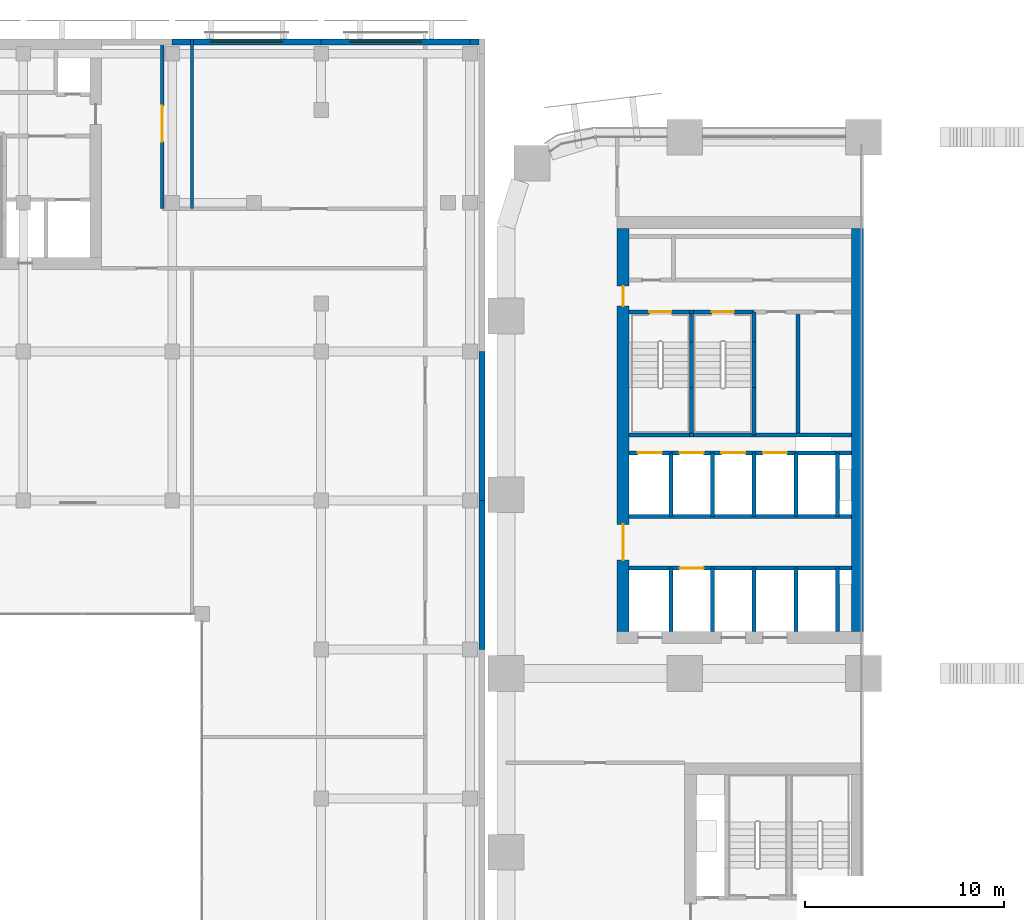
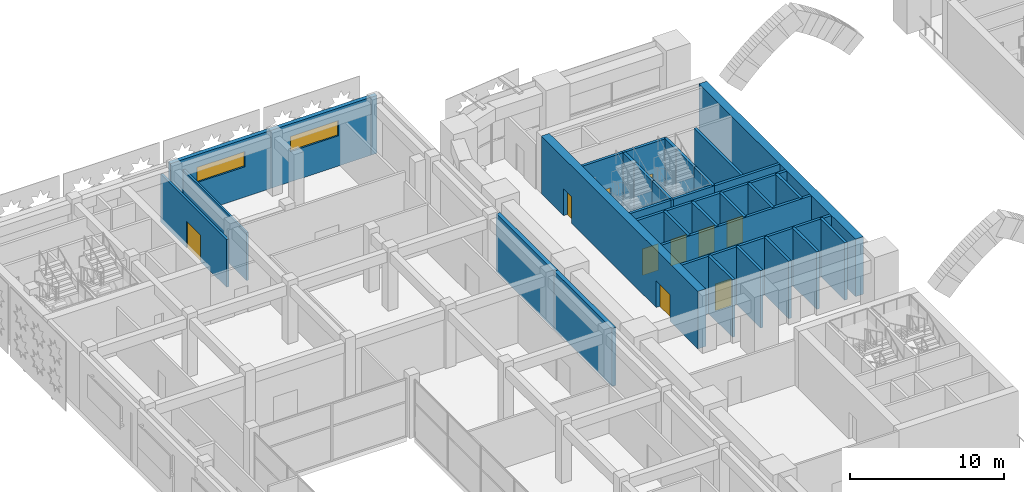
# One storey, part 20 of 40: 36 walls, 10 doors, 2 windows, 12 openings.
"""IFC4 building model written with IfcOpenShell, lengths in metres."""

import ifcopenshell
import ifcopenshell.guid

model = None  # the IFC model being written
_history = None  # IfcOwnerHistory: only IFC2X3 demands one
_inside = {}  # id of a spatial element -> (the spatial element, [elements in it])
_under = {}  # id of a project, library or spatial element -> (it, [spatial elements below it])
_declared = {}  # id of a project -> (the project, [libraries it declares])
_typed = {}  # id of a type object -> (the type object, [elements of that type])
_made_of = {}  # id of a material, layer set ... -> (it, [elements and type objects made of it])


def new_model(schema):
    """Start an empty IFC model of exactly this schema.

    Asked for "IFC4X3", IfcOpenShell would pick the latest addendum, in which some entities
    have other attributes; the version numbers below select the first issue.
    IFC2X3 requires an IfcOwnerHistory on every rooted entity: one is made here for all.
    """
    global model, _history
    if schema == "IFC4X3":
        model = ifcopenshell.file(schema_version=(4, 3, 0, 0))
    else:
        model = ifcopenshell.file(schema=schema)
    _inside.clear()
    _under.clear()
    _declared.clear()
    _typed.clear()
    _made_of.clear()
    _history = None
    if model.schema == "IFC2X3":
        org = make("IfcOrganization", Name="unknown")
        user = make(
            "IfcPersonAndOrganization",
            ThePerson=make("IfcPerson", FamilyName="unknown"),
            TheOrganization=org,
        )
        app = make(
            "IfcApplication",
            ApplicationDeveloper=org,
            Version="unknown",
            ApplicationFullName="unknown",
            ApplicationIdentifier="unknown",
        )
        _history = make(
            "IfcOwnerHistory",
            OwningUser=user,
            OwningApplication=app,
            ChangeAction="ADDED",
            CreationDate=0,
        )
    return model


def make(cls, **values):
    """One entity of the class cls with the attributes given. An attribute that is None is left unset."""
    return model.create_entity(
        cls, **{name: value for name, value in values.items() if value is not None}
    )


def rooted(cls, **values):
    """An entity with a GlobalId (a new one), such as an element, a storey or a relation."""
    return make(cls, GlobalId=ifcopenshell.guid.new(), OwnerHistory=_history, **values)


def si_unit(unit_type, name, prefix=None):
    """IfcSIUnit, for example si_unit("LENGTHUNIT", "METRE", prefix="MILLI")."""
    return make("IfcSIUnit", UnitType=unit_type, Prefix=prefix, Name=name)


def assignment(units):
    """IfcUnitAssignment: the units of a project."""
    return None if units is None else make("IfcUnitAssignment", Units=units)


def point(xyz):
    """IfcCartesianPoint."""
    return None if xyz is None else make("IfcCartesianPoint", Coordinates=xyz)


def direction(xyz):
    """IfcDirection."""
    return None if xyz is None else make("IfcDirection", DirectionRatios=xyz)


def frame(location, z_axis=None, x_axis=None):
    """IfcAxis2Placement3D, a coordinate frame: its origin and axes. An axis left out is left unset."""
    return make(
        "IfcAxis2Placement3D",
        Location=point(location),
        Axis=direction(z_axis),
        RefDirection=direction(x_axis),
    )


def frame_2d(location, x_axis=None):
    """IfcAxis2Placement2D, a coordinate frame in the plane: its origin and x axis."""
    return make(
        "IfcAxis2Placement2D", Location=point(location), RefDirection=direction(x_axis)
    )


def origin():
    """The frame at (0, 0, 0) with its axes left unset."""
    return frame((0.0, 0.0, 0.0))


def place(relative_to, where):
    """IfcLocalPlacement: puts the frame where relative to a parent placement (None: the world)."""
    return make(
        "IfcLocalPlacement", PlacementRelTo=relative_to, RelativePlacement=where
    )


def context(
    kind, dimensions, precision=None, world=None, true_north=None, identifier=None
):
    """IfcGeometricRepresentationContext, for example the 3D "Model" context."""
    return make(
        "IfcGeometricRepresentationContext",
        ContextIdentifier=identifier,
        ContextType=kind,
        CoordinateSpaceDimension=dimensions,
        Precision=precision,
        WorldCoordinateSystem=world,
        TrueNorth=true_north,
    )


def subcontext(parent, identifier, kind, view, scale=None):
    """IfcGeometricRepresentationSubContext, for example "Body" below "Model"."""
    return make(
        "IfcGeometricRepresentationSubContext",
        ContextIdentifier=identifier,
        ContextType=kind,
        ParentContext=parent,
        TargetScale=scale,
        TargetView=view,
    )


def project(units=None, contexts=None):
    """IfcProject with its units and contexts."""
    return rooted(
        "IfcProject",
        Name="project",
        RepresentationContexts=contexts,
        UnitsInContext=assignment(units),
    )


def spatial(cls, under=None, at=None, **own):
    """A site, building, storey or space (cls), placed at a placement, below another one or the project."""
    s = rooted(cls, ObjectPlacement=at, **own)
    if under is not None:
        _under.setdefault(under.id(), (under, []))[1].append(s)
    return s


def profile(cls, at=None, kind="AREA", **sizes):
    """A parametric profile (cls). Its sizes go by their IFC names, for example OverallWidth=200.0."""
    return make(cls, ProfileType=kind, Position=at, **sizes)


def rectangle(**sizes):
    """IfcRectangleProfileDef."""
    return profile("IfcRectangleProfileDef", **sizes)


def extrude(swept, where, along, depth):
    """IfcExtrudedAreaSolid: the profile swept, set in the frame where, extruded along a direction by depth."""
    return make(
        "IfcExtrudedAreaSolid",
        SweptArea=swept,
        Position=where,
        ExtrudedDirection=direction(along),
        Depth=depth,
    )


def shape(context_of_items, identifier, shape_type, items):
    """IfcShapeRepresentation: the items that make up one representation, for example the "Body"."""
    return make(
        "IfcShapeRepresentation",
        ContextOfItems=context_of_items,
        RepresentationIdentifier=identifier,
        RepresentationType=shape_type,
        Items=items,
    )


def material(Name=None, Category=None):
    """IfcMaterial."""
    return make("IfcMaterial", Name=Name, Category=Category)


def layer(
    of_material, thickness, ventilated=None, Name=None, Category=None, Priority=None
):
    """IfcMaterialLayer: one layer of a wall or slab, of a material (None: an air gap)."""
    return make(
        "IfcMaterialLayer",
        Material=of_material,
        LayerThickness=thickness,
        IsVentilated=ventilated,
        Name=Name,
        Category=Category,
        Priority=Priority,
    )


def layer_set(layers, Name=None):
    """IfcMaterialLayerSet."""
    return make("IfcMaterialLayerSet", MaterialLayers=layers, LayerSetName=Name)


def made_of(thing, what):
    """Note that an element or type object is made of a material, layer set ...; save() writes the relation."""
    if what is not None:
        _made_of.setdefault(what.id(), (what, []))[1].append(thing)
    return thing


def type_object(cls, material=None, **own):
    """A type object (cls), such as IfcWallType, which elements share."""
    return made_of(rooted(cls, **own), material)


def element(
    cls,
    number,
    at=None,
    inside=None,
    cuts=None,
    type_object=None,
    material=None,
    context=None,
    identifier="Body",
    shape_type=None,
    held_by="IfcProductDefinitionShape",
    body=None,
    shapes=None,
    **own,
):
    """One element of the class cls, such as IfcWall. Its Tag is "e" and its number.

    at: its placement. inside: the storey or other place that contains it. cuts: it is an
    opening in that element (IfcRelVoidsElement). A single representation is given by context,
    identifier, shape_type and body (its items); several are given by shapes. held_by: the class
    of the entity that holds the representations. save() writes the other relations.
    """
    e = rooted(cls, Tag="e%d" % number, ObjectPlacement=at, **own)
    if body is not None:
        shapes = [shape(context, identifier, shape_type, body)]
    if shapes is not None:
        e.Representation = make(held_by, Representations=shapes)
    if inside is not None:
        _inside.setdefault(inside.id(), (inside, []))[1].append(e)
    if cuts is not None:
        rooted(
            "IfcRelVoidsElement", RelatingBuildingElement=cuts, RelatedOpeningElement=e
        )
    if type_object is not None:
        _typed.setdefault(type_object.id(), (type_object, []))[1].append(e)
    return made_of(e, material)


def fill(opening, filler):
    """IfcRelFillsElement: the door or window that sits in an opening."""
    return rooted(
        "IfcRelFillsElement",
        RelatingOpeningElement=opening,
        RelatedBuildingElement=filler,
    )


def aggregate(whole, parts):
    """IfcRelAggregates: a whole, such as a stair, and the parts it consists of."""
    return rooted("IfcRelAggregates", RelatingObject=whole, RelatedObjects=parts)


def save(model, path):
    """Write the relations noted so far, then the file.

    IfcRelAggregates (storeys below a building ...), IfcRelContainedInSpatialStructure (elements
    in a storey), IfcRelDefinesByType, IfcRelAssociatesMaterial and IfcRelDeclares: one each for
    every whole, place, type object, material and project.
    """
    for whole, parts in _under.values():
        aggregate(whole, parts)
    for where, things in _inside.values():
        rooted(
            "IfcRelContainedInSpatialStructure",
            RelatedElements=things,
            RelatingStructure=where,
        )
    for kind, things in _typed.values():
        rooted("IfcRelDefinesByType", RelatedObjects=things, RelatingType=kind)
    for what, things in _made_of.values():
        rooted("IfcRelAssociatesMaterial", RelatedObjects=things, RelatingMaterial=what)
    for by, libraries in _declared.values():
        rooted("IfcRelDeclares", RelatingContext=by, RelatedDefinitions=libraries)
    model.write(path)


model = new_model("IFC4")

# Units and contexts
model_context = context("Model", 3, precision=1e-05, world=origin(), true_north=direction((0.0, 1.0)))
body_context = subcontext(model_context, "Body", "Model", "MODEL_VIEW")
ifc_project = project(units=[si_unit("LENGTHUNIT", "METRE"), si_unit("AREAUNIT", "SQUARE_METRE"), si_unit("VOLUMEUNIT", "CUBIC_METRE"), si_unit("PLANEANGLEUNIT", "RADIAN"), si_unit("MASSUNIT", "GRAM", prefix="KILO")], contexts=[model_context])

# Site, building, storey
site_placement = place(None, origin())
site = spatial("IfcSite", under=ifc_project, at=site_placement, CompositionType="ELEMENT")
building_placement = place(site_placement, origin())
building = spatial("IfcBuilding", under=site, at=building_placement, Name="Tessera Arch", CompositionType="ELEMENT")
storey_placement = place(building_placement, frame((0.0, 0.0, 21.0)))
storey = spatial("IfcBuildingStorey", under=building, at=storey_placement, Name="L03", CompositionType="ELEMENT", Elevation=21.0)

# Wall
ifc_material_1 = material(Name="Gypsum board on steel stud", Category="steel")
ifc_layer_1 = layer(ifc_material_1, 0.125)
ifc_layer_set_1 = layer_set([ifc_layer_1], Name="Core partition 125 EI 60")
wall_type_1 = type_object("IfcWallType", Name="Core partition 125 EI 60", PredefinedType="PARTITIONING", material=ifc_layer_set_1)
wall_1_placement = place(storey_placement, frame((14.705078125, 39.0, 0.0), z_axis=(0.0, 0.0, 1.0), x_axis=(0.0, 1.0, 0.0)))
element("IfcWall", 1, at=wall_1_placement, inside=storey, type_object=wall_type_1, Name="L03 C2 partition wall 16", PredefinedType="PARTITIONING", context=body_context, shape_type="SweptSolid", body=[
    extrude(rectangle(XDim=6.199951171875, YDim=0.199951171875, at=frame_2d((3.10009765625, 0.0))), origin(), (0.0, 0.0, 1.0), 4.550048828125),
])

# Wall, openings, doors
ifc_material_2 = material(Name="Concrete C70/85", Category="concrete")
ifc_layer_2 = layer(ifc_material_2, 0.60009765625)
ifc_layer_set_2 = layer_set([ifc_layer_2], Name="Core shell wall 600 C70-85")
wall_type_2 = type_object("IfcWallType", Name="Core shell wall 600 C70-85", PredefinedType="SHEAR", material=ifc_layer_set_2)
wall_2_placement = place(storey_placement, frame((5.89990234375, 29.10009765625, 0.0), z_axis=(0.0, 0.0, 1.0), x_axis=(0.0, 1.0, 0.0)))
wall_2 = element("IfcWall", 2, at=wall_2_placement, inside=storey, type_object=wall_type_2, Name="L03 C2 core wall W", PredefinedType="SHEAR", context=body_context, shape_type="SweptSolid", body=[
    extrude(rectangle(XDim=20.2998046875, YDim=0.60009765625, at=frame_2d((10.14990234375, 0.0))), origin(), (0.0, 0.0, 1.0), 4.550048828125),
])
opening_1_placement = place(wall_2_placement, frame((3.60009765625, 0.0, 0.0)))
opening_1 = element("IfcOpeningElement", 3, at=opening_1_placement, cuts=wall_2, Name="Opening L03-C21", PredefinedType="OPENING", context=body_context, shape_type="SweptSolid", body=[
    extrude(rectangle(XDim=1.800048828125, YDim=2.10009765625, at=frame_2d((0.89990234375, 1.050048828125))), frame((0.0, 0.31005859375, 0.0), z_axis=(0.0, -1.0, 0.0), x_axis=(1.0, 0.0, 0.0)), (0.0, 0.0, 1.0), 0.6201171875),
])
opening_2_placement = place(wall_2_placement, frame((16.39990234375, 0.0, 0.0)))
opening_2 = element("IfcOpeningElement", 4, at=opening_2_placement, cuts=wall_2, Name="Opening L03-C24", PredefinedType="OPENING", context=body_context, shape_type="SweptSolid", body=[
    extrude(rectangle(XDim=1.0, YDim=2.10009765625, at=frame_2d((0.5, 1.050048828125))), frame((0.0, 0.31005859375, 0.0), z_axis=(0.0, -1.0, 0.0), x_axis=(1.0, 0.0, 0.0)), (0.0, 0.0, 1.0), 0.6201171875),
])
ifc_material_3 = material(Name="Steel door leaf", Category="steel")
door_type_1 = type_object("IfcDoorType", Name="Corridor door FD60 1000 x 2100", OperationType="SINGLE_SWING_LEFT", PredefinedType="DOOR", material=ifc_material_3)
door_1_placement = place(opening_2_placement, origin())
door_1 = element("IfcDoor", 5, at=door_1_placement, inside=storey, type_object=door_type_1, Name="L03 C2 door 12 C24 type D12", OperationType="SINGLE_SWING_RIGHT", OverallHeight=2.10009765625, OverallWidth=1.0, PredefinedType="DOOR", context=body_context, shape_type="SweptSolid", body=[
    extrude(rectangle(XDim=1.0, YDim=2.10009765625, at=frame_2d((0.5, 1.050048828125))), frame((0.0, 0.02490234375, 0.0), z_axis=(0.0, -1.0, 0.0), x_axis=(1.0, 0.0, 0.0)), (0.0, 0.0, 1.0), 0.050048828125),
])
fill(opening_2, door_1)
ifc_material_4 = material(Name="Glazed steel door leaf", Category="steel")
door_type_2 = type_object("IfcDoorType", Name="Lobby double door FD30S 1800 x 2100", OperationType="DOUBLE_DOOR_SINGLE_SWING", PredefinedType="DOOR", material=ifc_material_4)
door_2_placement = place(opening_1_placement, origin())
door_2 = element("IfcDoor", 6, at=door_2_placement, inside=storey, type_object=door_type_2, Name="L03 C2 door 9 C21 type D06", OperationType="DOUBLE_DOOR_SINGLE_SWING", OverallHeight=2.10009765625, OverallWidth=1.800048828125, PredefinedType="DOOR", context=body_context, shape_type="SweptSolid", body=[
    extrude(rectangle(XDim=1.800048828125, YDim=2.10009765625, at=frame_2d((0.89990234375, 1.050048828125))), frame((0.0, 0.02490234375, 0.0), z_axis=(0.0, -1.0, 0.0), x_axis=(1.0, 0.0, 0.0)), (0.0, 0.0, 1.0), 0.050048828125),
])
fill(opening_1, door_2)

# Wall
wall_3_placement = place(storey_placement, frame((17.699951171875, 29.10009765625, 0.0), z_axis=(0.0, 0.0, 1.0), x_axis=(0.0, 1.0, 0.0)))
element("IfcWall", 7, at=wall_3_placement, inside=storey, type_object=wall_type_2, Name="L03 C2 core wall E", PredefinedType="SHEAR", context=body_context, shape_type="SweptSolid", body=[
    extrude(rectangle(XDim=20.2998046875, YDim=0.60009765625, at=frame_2d((10.14990234375, 0.0))), origin(), (0.0, 0.0, 1.0), 4.550048828125),
])

# Wall, opening, door
ifc_material_5 = material(Name="Gypsum board on deep steel stud with mineral wool", Category="steel")
ifc_layer_3 = layer(ifc_material_5, 0.175048828125)
ifc_layer_set_3 = layer_set([ifc_layer_3], Name="Corridor wall 175 EI 60")
wall_type_3 = type_object("IfcWallType", Name="Corridor wall 175 EI 60", PredefinedType="PARTITIONING", material=ifc_layer_set_3)
wall_4_placement = place(storey_placement, frame((-17.300048828125, 50.39990234375, 0.0), z_axis=(0.0, 0.0, 1.0), x_axis=(0.0, 1.0, 0.0)))
wall_4 = element("IfcWall", 8, at=wall_4_placement, inside=storey, type_object=wall_type_3, Name="L03 partition 17", PredefinedType="PARTITIONING", context=body_context, shape_type="SweptSolid", body=[
    extrude(rectangle(XDim=8.550048828125, YDim=0.175048828125, at=frame_2d((4.27490234375, 0.0))), origin(), (0.0, 0.0, 1.0), 3.7900390625),
])
opening_3_placement = place(wall_4_placement, frame((3.375, 0.0, 0.0)))
opening_3 = element("IfcOpeningElement", 9, at=opening_3_placement, cuts=wall_4, Name="Opening L03-D015", PredefinedType="OPENING", context=body_context, shape_type="SweptSolid", body=[
    extrude(rectangle(XDim=1.800048828125, YDim=2.10009765625, at=frame_2d((0.89990234375, 1.050048828125))), frame((0.0, 0.097412109375, 0.0), z_axis=(0.0, -1.0, 0.0), x_axis=(1.0, 0.0, 0.0)), (0.0, 0.0, 1.0), 0.195068359375),
])
ifc_material_6 = material(Name="Timber door leaf", Category="wood")
door_type_3 = type_object("IfcDoorType", Name="Double door 1800 x 2100", OperationType="DOUBLE_DOOR_SINGLE_SWING", PredefinedType="DOOR", material=ifc_material_6)
door_3_placement = place(opening_3_placement, origin())
door_3 = element("IfcDoor", 10, at=door_3_placement, inside=storey, type_object=door_type_3, Name="L03 door D015 type D13", OperationType="DOUBLE_DOOR_SINGLE_SWING", OverallHeight=2.10009765625, OverallWidth=1.800048828125, PredefinedType="DOOR", context=body_context, shape_type="SweptSolid", body=[
    extrude(rectangle(XDim=1.800048828125, YDim=2.10009765625, at=frame_2d((0.89990234375, 1.050048828125))), frame((0.0, 0.02490234375, 0.0), z_axis=(0.0, -1.0, 0.0), x_axis=(1.0, 0.0, 0.0)), (0.0, 0.0, 1.0), 0.050048828125),
])
fill(opening_3, door_3)

# Wall
ifc_material_7 = material(Name="Aluminium cladding pale metal anodised", Category="aluminium")
ifc_layer_4 = layer(ifc_material_7, 0.300048828125)
ifc_layer_set_4 = layer_set([ifc_layer_4], Name="Museum envelope wall pale metal")
wall_type_4 = type_object("IfcWallType", Name="Museum envelope wall pale metal", PredefinedType="SOLIDWALL", material=ifc_layer_set_4)
wall_5_placement = place(storey_placement, frame((-1.35009765625, 58.800048828125, 0.0), z_axis=(0.0, 0.0, 1.0), x_axis=(-1.0, 0.0, 0.0)))
element("IfcWall", 11, at=wall_5_placement, inside=storey, type_object=wall_type_4, Name="Museum external wall pale metal mashrabiya pattern", PredefinedType="SOLIDWALL", context=body_context, shape_type="SweptSolid", body=[
    extrude(rectangle(XDim=0.449951171875, YDim=0.300048828125, at=frame_2d((0.22509765625, 0.0))), origin(), (0.0, 0.0, 1.0), 4.590087890625),
])

# Wall, opening, window
wall_6_placement = place(storey_placement, frame((-1.800048828125, 58.800048828125, 0.0), z_axis=(0.0, 0.0, 1.0), x_axis=(-1.0, 0.0, 0.0)))
wall_6 = element("IfcWall", 12, at=wall_6_placement, inside=storey, type_object=wall_type_4, Name="Museum external wall pale metal mashrabiya pattern", PredefinedType="SOLIDWALL", context=body_context, shape_type="SweptSolid", body=[
    extrude(rectangle(XDim=7.5, YDim=0.300048828125, at=frame_2d((3.75, 0.0))), origin(), (0.0, 0.0, 1.0), 4.590087890625),
])
opening_4_placement = place(wall_6_placement, frame((2.449951171875, 0.0, 2.39990234375)))
opening_4 = element("IfcOpeningElement", 13, at=opening_4_placement, cuts=wall_6, Name="Opening L03-MV44", PredefinedType="OPENING", context=body_context, shape_type="SweptSolid", body=[
    extrude(rectangle(XDim=3.60009765625, YDim=1.199951171875, at=frame_2d((1.800048828125, 0.60009765625))), frame((0.0, 0.159912109375, 0.0), z_axis=(0.0, -1.0, 0.0), x_axis=(1.0, 0.0, 0.0)), (0.0, 0.0, 1.0), 0.320068359375),
])
ifc_material_8 = material(Name="Clear low-e glass in aluminium frame", Category="aluminium")
window_type = type_object("IfcWindowType", Name="Museum clerestory window", PartitioningType="SINGLE_PANEL", PredefinedType="WINDOW", material=ifc_material_8)
window_1_placement = place(opening_4_placement, origin())
window_1 = element("IfcWindow", 14, at=window_1_placement, inside=storey, type_object=window_type, Name="Museum window L03 5-2", OverallHeight=1.199951171875, OverallWidth=3.60009765625, PartitioningType="SINGLE_PANEL", PredefinedType="WINDOW", context=body_context, shape_type="SweptSolid", body=[
    extrude(rectangle(XDim=3.60009765625, YDim=1.199951171875, at=frame_2d((1.800048828125, 0.60009765625))), frame((0.0, 0.030029296875, 0.0), z_axis=(0.0, -1.0, 0.0), x_axis=(1.0, 0.0, 0.0)), (0.0, 0.0, 1.0), 0.06005859375),
])
fill(opening_4, window_1)

wall_7_placement = place(storey_placement, frame((-9.300048828125, 58.800048828125, 0.0), z_axis=(0.0, 0.0, 1.0), x_axis=(-1.0, 0.0, 0.0)))
wall_7 = element("IfcWall", 15, at=wall_7_placement, inside=storey, type_object=wall_type_4, Name="Museum external wall pale metal mashrabiya pattern", PredefinedType="SOLIDWALL", context=body_context, shape_type="SweptSolid", body=[
    extrude(rectangle(XDim=7.5, YDim=0.300048828125, at=frame_2d((3.75, 0.0))), origin(), (0.0, 0.0, 1.0), 4.590087890625),
])
opening_5_placement = place(wall_7_placement, frame((1.949951171875, 0.0, 2.39990234375)))
opening_5 = element("IfcOpeningElement", 16, at=opening_5_placement, cuts=wall_7, Name="Opening L03-MV45", PredefinedType="OPENING", context=body_context, shape_type="SweptSolid", body=[
    extrude(rectangle(XDim=3.60009765625, YDim=1.199951171875, at=frame_2d((1.800048828125, 0.60009765625))), frame((0.0, 0.159912109375, 0.0), z_axis=(0.0, -1.0, 0.0), x_axis=(1.0, 0.0, 0.0)), (0.0, 0.0, 1.0), 0.320068359375),
])
window_2_placement = place(opening_5_placement, origin())
window_2 = element("IfcWindow", 17, at=window_2_placement, inside=storey, type_object=window_type, Name="Museum window L03 5-3", OverallHeight=1.199951171875, OverallWidth=3.60009765625, PartitioningType="SINGLE_PANEL", PredefinedType="WINDOW", context=body_context, shape_type="SweptSolid", body=[
    extrude(rectangle(XDim=3.60009765625, YDim=1.199951171875, at=frame_2d((1.800048828125, 0.60009765625))), frame((0.0, 0.030029296875, 0.0), z_axis=(0.0, -1.0, 0.0), x_axis=(1.0, 0.0, 0.0)), (0.0, 0.0, 1.0), 0.06005859375),
])
fill(opening_5, window_2)

# Walls
ifc_material_9 = material(Name="Concrete C40/50", Category="concrete")
ifc_layer_5 = layer(ifc_material_9, 0.300048828125)
ifc_layer_set_5 = layer_set([ifc_layer_5], Name="Museum fire wall")
wall_type_5 = type_object("IfcWallType", Name="Museum fire wall", PredefinedType="SOLIDWALL", material=ifc_layer_set_5)
for number, where, z_axis, x_axis, name in (
    (18, (-1.199951171875, 28.199951171875, 0.0), (0.0, 0.0, 1.0), (0.0, 1.0, 0.0), "Museum fire wall at the movement joint"),
    (19, (-1.199951171875, 35.699951171875, 0.0), (0.0, 0.0, 1.0), (0.0, 1.0, 0.0), "Museum fire wall at the movement joint"),
):
    element("IfcWall", number, at=place(storey_placement, frame(where, z_axis=z_axis, x_axis=x_axis)), inside=storey, type_object=wall_type_5, Name=name, PredefinedType="SOLIDWALL", context=body_context, shape_type="SweptSolid", body=[
        extrude(rectangle(XDim=7.5, YDim=0.300048828125, at=frame_2d((3.75, 0.0))), origin(), (0.0, 0.0, 1.0), 4.590087890625),
    ])
ifc_material_10 = material(Name="Gypsum board on steel stud", Category="steel")
ifc_layer_6 = layer(ifc_material_10, 0.14990234375)
ifc_layer_set_6 = layer_set([ifc_layer_6], Name="Partition 150")
wall_type_6 = type_object("IfcWallType", Name="Partition 150", PredefinedType="PARTITIONING", material=ifc_layer_set_6)
wall_8_placement = place(storey_placement, frame((-15.800048828125, 50.39990234375, 0.0), z_axis=(0.0, 0.0, 1.0), x_axis=(0.0, 1.0, 0.0)))
element("IfcWall", 20, at=wall_8_placement, inside=storey, type_object=wall_type_6, Name="L03 partition 30", PredefinedType="PARTITIONING", context=body_context, shape_type="SweptSolid", body=[
    extrude(rectangle(XDim=8.550048828125, YDim=0.14990234375, at=frame_2d((4.27490234375, 0.0))), origin(), (0.0, 0.0, 1.0), 3.7900390625),
])
ifc_material_11 = material(Name="Concrete C40/50", Category="concrete")
ifc_layer_7 = layer(ifc_material_11, 0.199951171875)
ifc_layer_set_7 = layer_set([ifc_layer_7], Name="Shaft wall 200 EI 120")
wall_type_7 = type_object("IfcWallType", Name="Shaft wall 200 EI 120", PredefinedType="SOLIDWALL", material=ifc_layer_set_7)
wall_9_placement = place(storey_placement, frame((8.300048828125, 29.10009765625, 0.0), z_axis=(0.0, 0.0, 1.0), x_axis=(0.0, 1.0, 0.0)))
element("IfcWall", 21, at=wall_9_placement, inside=storey, type_object=wall_type_7, Name="L03 C2 shaft wall 1", PredefinedType="SOLIDWALL", context=body_context, shape_type="SweptSolid", body=[
    extrude(rectangle(XDim=3.199951171875, YDim=0.199951171875, at=frame_2d((1.60009765625, 0.0))), origin(), (0.0, 0.0, 1.0), 4.550048828125),
])
wall_10_placement = place(storey_placement, frame((8.300048828125, 34.89990234375, 0.0), z_axis=(0.0, 0.0, 1.0), x_axis=(0.0, 1.0, 0.0)))
element("IfcWall", 22, at=wall_10_placement, inside=storey, type_object=wall_type_7, Name="L03 C2 shaft wall 2", PredefinedType="SOLIDWALL", context=body_context, shape_type="SweptSolid", body=[
    extrude(rectangle(XDim=3.2001953125, YDim=0.199951171875, at=frame_2d((1.60009765625, 0.0))), origin(), (0.0, 0.0, 1.0), 4.550048828125),
])
wall_11_placement = place(storey_placement, frame((10.39990234375, 29.10009765625, 0.0), z_axis=(0.0, 0.0, 1.0), x_axis=(0.0, 1.0, 0.0)))
element("IfcWall", 23, at=wall_11_placement, inside=storey, type_object=wall_type_7, Name="L03 C2 shaft wall 7", PredefinedType="SOLIDWALL", context=body_context, shape_type="SweptSolid", body=[
    extrude(rectangle(XDim=3.199951171875, YDim=0.199951171875, at=frame_2d((1.60009765625, 0.0))), origin(), (0.0, 0.0, 1.0), 4.550048828125),
])
wall_12_placement = place(storey_placement, frame((10.39990234375, 34.89990234375, 0.0), z_axis=(0.0, 0.0, 1.0), x_axis=(0.0, 1.0, 0.0)))
element("IfcWall", 24, at=wall_12_placement, inside=storey, type_object=wall_type_7, Name="L03 C2 shaft wall 8", PredefinedType="SOLIDWALL", context=body_context, shape_type="SweptSolid", body=[
    extrude(rectangle(XDim=3.2001953125, YDim=0.199951171875, at=frame_2d((1.60009765625, 0.0))), origin(), (0.0, 0.0, 1.0), 4.550048828125),
])
wall_13_placement = place(storey_placement, frame((12.5, 29.10009765625, 0.0), z_axis=(0.0, 0.0, 1.0), x_axis=(0.0, 1.0, 0.0)))
element("IfcWall", 25, at=wall_13_placement, inside=storey, type_object=wall_type_7, Name="L03 C2 shaft wall 9", PredefinedType="SOLIDWALL", context=body_context, shape_type="SweptSolid", body=[
    extrude(rectangle(XDim=3.199951171875, YDim=0.199951171875, at=frame_2d((1.60009765625, 0.0))), origin(), (0.0, 0.0, 1.0), 4.550048828125),
])
wall_14_placement = place(storey_placement, frame((12.5, 34.89990234375, 0.0), z_axis=(0.0, 0.0, 1.0), x_axis=(0.0, 1.0, 0.0)))
element("IfcWall", 26, at=wall_14_placement, inside=storey, type_object=wall_type_7, Name="L03 C2 shaft wall 10", PredefinedType="SOLIDWALL", context=body_context, shape_type="SweptSolid", body=[
    extrude(rectangle(XDim=3.2001953125, YDim=0.199951171875, at=frame_2d((1.60009765625, 0.0))), origin(), (0.0, 0.0, 1.0), 4.550048828125),
])
wall_15_placement = place(storey_placement, frame((14.60009765625, 29.10009765625, 0.0), z_axis=(0.0, 0.0, 1.0), x_axis=(0.0, 1.0, 0.0)))
element("IfcWall", 27, at=wall_15_placement, inside=storey, type_object=wall_type_7, Name="L03 C2 shaft wall 14", PredefinedType="SOLIDWALL", context=body_context, shape_type="SweptSolid", body=[
    extrude(rectangle(XDim=3.199951171875, YDim=0.199951171875, at=frame_2d((1.60009765625, 0.0))), origin(), (0.0, 0.0, 1.0), 4.550048828125),
])
wall_16_placement = place(storey_placement, frame((14.60009765625, 34.89990234375, 0.0), z_axis=(0.0, 0.0, 1.0), x_axis=(0.0, 1.0, 0.0)))
element("IfcWall", 28, at=wall_16_placement, inside=storey, type_object=wall_type_7, Name="L03 C2 shaft wall 15", PredefinedType="SOLIDWALL", context=body_context, shape_type="SweptSolid", body=[
    extrude(rectangle(XDim=3.2001953125, YDim=0.199951171875, at=frame_2d((1.60009765625, 0.0))), origin(), (0.0, 0.0, 1.0), 4.550048828125),
])
wall_17_placement = place(storey_placement, frame((16.699951171875, 29.10009765625, 0.0), z_axis=(0.0, 0.0, 1.0), x_axis=(0.0, 1.0, 0.0)))
element("IfcWall", 29, at=wall_17_placement, inside=storey, type_object=wall_type_7, Name="L03 C2 shaft wall 17", PredefinedType="SOLIDWALL", context=body_context, shape_type="SweptSolid", body=[
    extrude(rectangle(XDim=3.199951171875, YDim=0.199951171875, at=frame_2d((1.60009765625, 0.0))), origin(), (0.0, 0.0, 1.0), 4.550048828125),
])
wall_18_placement = place(storey_placement, frame((16.699951171875, 34.89990234375, 0.0), z_axis=(0.0, 0.0, 1.0), x_axis=(0.0, 1.0, 0.0)))
element("IfcWall", 30, at=wall_18_placement, inside=storey, type_object=wall_type_7, Name="L03 C2 shaft wall 18", PredefinedType="SOLIDWALL", context=body_context, shape_type="SweptSolid", body=[
    extrude(rectangle(XDim=3.2001953125, YDim=0.199951171875, at=frame_2d((1.60009765625, 0.0))), origin(), (0.0, 0.0, 1.0), 4.550048828125),
])

# Wall, opening, door
wall_19_placement = place(storey_placement, frame((6.199951171875, 32.300048828125, 0.0), z_axis=(0.0, 0.0, 1.0), x_axis=(1.0, 0.0, 0.0)))
wall_19 = element("IfcWall", 31, at=wall_19_placement, inside=storey, type_object=wall_type_7, Name="L03 C2 shaft wall 19", PredefinedType="SOLIDWALL", context=body_context, shape_type="SweptSolid", body=[
    extrude(rectangle(XDim=11.199951171875, YDim=0.199951171875, at=frame_2d((5.60009765625, 0.0))), origin(), (0.0, 0.0, 1.0), 4.550048828125),
])
opening_6_placement = place(wall_19_placement, frame((2.550048828125, 0.0, 0.0)))
opening_6 = element("IfcOpeningElement", 32, at=opening_6_placement, cuts=wall_19, Name="Opening L03-C14", PredefinedType="OPENING", context=body_context, shape_type="SweptSolid", body=[
    extrude(rectangle(XDim=1.199951171875, YDim=2.10009765625, at=frame_2d((0.60009765625, 1.050048828125))), frame((0.0, 0.10986328125, 0.0), z_axis=(0.0, -1.0, 0.0), x_axis=(1.0, 0.0, 0.0)), (0.0, 0.0, 1.0), 0.219970703125),
])
ifc_material_12 = material(Name="Stainless steel AISI 304", Category="steel")
door_type_4 = type_object("IfcDoorType", Name="Sliding landing door 1200 x 2100", OperationType="SLIDING_TO_LEFT", PredefinedType="DOOR", material=ifc_material_12)
door_4_placement = place(opening_6_placement, origin())
door_4 = element("IfcDoor", 33, at=door_4_placement, inside=storey, type_object=door_type_4, Name="L03 LR2 lift landing door C14 type LD", OperationType="SLIDING_TO_LEFT", OverallHeight=2.10009765625, OverallWidth=1.199951171875, PredefinedType="DOOR", context=body_context, shape_type="SweptSolid", body=[
    extrude(rectangle(XDim=1.199951171875, YDim=2.10009765625, at=frame_2d((0.60009765625, 1.050048828125))), frame((0.0, 0.02490234375, 0.0), z_axis=(0.0, -1.0, 0.0), x_axis=(1.0, 0.0, 0.0)), (0.0, 0.0, 1.0), 0.050048828125),
])
fill(opening_6, door_4)

# Wall
wall_20_placement = place(storey_placement, frame((6.199951171875, 34.89990234375, 0.0), z_axis=(0.0, 0.0, 1.0), x_axis=(1.0, 0.0, 0.0)))
element("IfcWall", 34, at=wall_20_placement, inside=storey, type_object=wall_type_7, Name="L03 C2 shaft wall 20", PredefinedType="SOLIDWALL", context=body_context, shape_type="SweptSolid", body=[
    extrude(rectangle(XDim=11.199951171875, YDim=0.199951171875, at=frame_2d((5.60009765625, 0.0))), origin(), (0.0, 0.0, 1.0), 4.550048828125),
])

# Wall, openings, doors
wall_21_placement = place(storey_placement, frame((6.199951171875, 38.10009765625, 0.0), z_axis=(0.0, 0.0, 1.0), x_axis=(1.0, 0.0, 0.0)))
wall_21 = element("IfcWall", 35, at=wall_21_placement, inside=storey, type_object=wall_type_7, Name="L03 C2 shaft wall 21", PredefinedType="SOLIDWALL", context=body_context, shape_type="SweptSolid", body=[
    extrude(rectangle(XDim=11.199951171875, YDim=0.199951171875, at=frame_2d((5.60009765625, 0.0))), origin(), (0.0, 0.0, 1.0), 4.550048828125),
])
opening_7_placement = place(wall_21_placement, frame((0.449951171875, 0.0, 0.0)))
opening_7 = element("IfcOpeningElement", 36, at=opening_7_placement, cuts=wall_21, Name="Opening L03-C17", PredefinedType="OPENING", context=body_context, shape_type="SweptSolid", body=[
    extrude(rectangle(XDim=1.199951171875, YDim=2.10009765625, at=frame_2d((0.60009765625, 1.050048828125))), frame((0.0, 0.10986328125, 0.0), z_axis=(0.0, -1.0, 0.0), x_axis=(1.0, 0.0, 0.0)), (0.0, 0.0, 1.0), 0.219970703125),
])
opening_8_placement = place(wall_21_placement, frame((2.550048828125, 0.0, 0.0)))
opening_8 = element("IfcOpeningElement", 37, at=opening_8_placement, cuts=wall_21, Name="Opening L03-C18", PredefinedType="OPENING", context=body_context, shape_type="SweptSolid", body=[
    extrude(rectangle(XDim=1.199951171875, YDim=2.10009765625, at=frame_2d((0.60009765625, 1.050048828125))), frame((0.0, 0.10986328125, 0.0), z_axis=(0.0, -1.0, 0.0), x_axis=(1.0, 0.0, 0.0)), (0.0, 0.0, 1.0), 0.219970703125),
])
opening_9_placement = place(wall_21_placement, frame((4.64990234375, 0.0, 0.0)))
opening_9 = element("IfcOpeningElement", 38, at=opening_9_placement, cuts=wall_21, Name="Opening L03-C19", PredefinedType="OPENING", context=body_context, shape_type="SweptSolid", body=[
    extrude(rectangle(XDim=1.199951171875, YDim=2.10009765625, at=frame_2d((0.60009765625, 1.050048828125))), frame((0.0, 0.10986328125, 0.0), z_axis=(0.0, -1.0, 0.0), x_axis=(1.0, 0.0, 0.0)), (0.0, 0.0, 1.0), 0.219970703125),
])
opening_10_placement = place(wall_21_placement, frame((6.75, 0.0, 0.0)))
opening_10 = element("IfcOpeningElement", 39, at=opening_10_placement, cuts=wall_21, Name="Opening L03-C20", PredefinedType="OPENING", context=body_context, shape_type="SweptSolid", body=[
    extrude(rectangle(XDim=1.199951171875, YDim=2.10009765625, at=frame_2d((0.60009765625, 1.050048828125))), frame((0.0, 0.10986328125, 0.0), z_axis=(0.0, -1.0, 0.0), x_axis=(1.0, 0.0, 0.0)), (0.0, 0.0, 1.0), 0.219970703125),
])
door_5_placement = place(opening_7_placement, origin())
door_5 = element("IfcDoor", 40, at=door_5_placement, inside=storey, type_object=door_type_4, Name="L03 LR5 lift landing door C17 type LD", OperationType="SLIDING_TO_LEFT", OverallHeight=2.10009765625, OverallWidth=1.199951171875, PredefinedType="DOOR", context=body_context, shape_type="SweptSolid", body=[
    extrude(rectangle(XDim=1.199951171875, YDim=2.10009765625, at=frame_2d((0.60009765625, 1.050048828125))), frame((0.0, 0.02490234375, 0.0), z_axis=(0.0, -1.0, 0.0), x_axis=(1.0, 0.0, 0.0)), (0.0, 0.0, 1.0), 0.050048828125),
])
fill(opening_7, door_5)
door_6_placement = place(opening_8_placement, origin())
door_6 = element("IfcDoor", 41, at=door_6_placement, inside=storey, type_object=door_type_4, Name="L03 LR6 lift landing door C18 type LD", OperationType="SLIDING_TO_LEFT", OverallHeight=2.10009765625, OverallWidth=1.199951171875, PredefinedType="DOOR", context=body_context, shape_type="SweptSolid", body=[
    extrude(rectangle(XDim=1.199951171875, YDim=2.10009765625, at=frame_2d((0.60009765625, 1.050048828125))), frame((0.0, 0.02490234375, 0.0), z_axis=(0.0, -1.0, 0.0), x_axis=(1.0, 0.0, 0.0)), (0.0, 0.0, 1.0), 0.050048828125),
])
fill(opening_8, door_6)
door_7_placement = place(opening_9_placement, origin())
door_7 = element("IfcDoor", 42, at=door_7_placement, inside=storey, type_object=door_type_4, Name="L03 LR7 lift landing door C19 type LD", OperationType="SLIDING_TO_LEFT", OverallHeight=2.10009765625, OverallWidth=1.199951171875, PredefinedType="DOOR", context=body_context, shape_type="SweptSolid", body=[
    extrude(rectangle(XDim=1.199951171875, YDim=2.10009765625, at=frame_2d((0.60009765625, 1.050048828125))), frame((0.0, 0.02490234375, 0.0), z_axis=(0.0, -1.0, 0.0), x_axis=(1.0, 0.0, 0.0)), (0.0, 0.0, 1.0), 0.050048828125),
])
fill(opening_9, door_7)
door_8_placement = place(opening_10_placement, origin())
door_8 = element("IfcDoor", 43, at=door_8_placement, inside=storey, type_object=door_type_4, Name="L03 LR8 lift landing door C20 type LD", OperationType="SLIDING_TO_LEFT", OverallHeight=2.10009765625, OverallWidth=1.199951171875, PredefinedType="DOOR", context=body_context, shape_type="SweptSolid", body=[
    extrude(rectangle(XDim=1.199951171875, YDim=2.10009765625, at=frame_2d((0.60009765625, 1.050048828125))), frame((0.0, 0.02490234375, 0.0), z_axis=(0.0, -1.0, 0.0), x_axis=(1.0, 0.0, 0.0)), (0.0, 0.0, 1.0), 0.050048828125),
])
fill(opening_10, door_8)

# Walls
wall_22_placement = place(storey_placement, frame((12.5, 39.0, 0.0), z_axis=(0.0, 0.0, 1.0), x_axis=(1.0, 0.0, 0.0)))
element("IfcWall", 44, at=wall_22_placement, inside=storey, type_object=wall_type_7, Name="L03 C2 shaft wall 22", PredefinedType="SOLIDWALL", context=body_context, shape_type="SweptSolid", body=[
    extrude(rectangle(XDim=4.89990234375, YDim=0.199951171875, at=frame_2d((2.449951171875, 0.0))), origin(), (0.0, 0.0, 1.0), 4.550048828125),
])
ifc_material_13 = material(Name="Concrete C40/50", Category="concrete")
ifc_layer_8 = layer(ifc_material_13, 0.199951171875)
ifc_layer_set_8 = layer_set([ifc_layer_8], Name="Stair well wall 200 REI 180")
wall_type_8 = type_object("IfcWallType", Name="Stair well wall 200 REI 180", PredefinedType="SOLIDWALL", material=ifc_layer_set_8)
wall_23_placement = place(storey_placement, frame((9.35009765625, 39.0, 0.0), z_axis=(0.0, 0.0, 1.0), x_axis=(0.0, 1.0, 0.0)))
element("IfcWall", 45, at=wall_23_placement, inside=storey, type_object=wall_type_8, Name="L03 C2 shaft wall 4", PredefinedType="SOLIDWALL", context=body_context, shape_type="SweptSolid", body=[
    extrude(rectangle(XDim=2.389892578125, YDim=0.199951171875, at=frame_2d((1.19482421875, 0.0))), origin(), (0.0, 0.0, 1.0), 4.550048828125),
])
wall_24_placement = place(storey_placement, frame((9.35009765625, 41.389892578125, 0.0), z_axis=(0.0, 0.0, 1.0), x_axis=(0.0, 1.0, 0.0)))
element("IfcWall", 46, at=wall_24_placement, inside=storey, type_object=wall_type_8, Name="L03 C2 shaft wall 5", PredefinedType="SOLIDWALL", context=body_context, shape_type="SweptSolid", body=[
    extrude(rectangle(XDim=2.31005859375, YDim=0.199951171875, at=frame_2d((1.155029296875, 0.0))), origin(), (0.0, 0.0, 1.0), 4.550048828125),
])
wall_25_placement = place(storey_placement, frame((9.35009765625, 43.699951171875, 0.0), z_axis=(0.0, 0.0, 1.0), x_axis=(0.0, 1.0, 0.0)))
element("IfcWall", 47, at=wall_25_placement, inside=storey, type_object=wall_type_8, Name="L03 C2 shaft wall 6", PredefinedType="SOLIDWALL", context=body_context, shape_type="SweptSolid", body=[
    extrude(rectangle(XDim=1.5, YDim=0.199951171875, at=frame_2d((0.75, 0.0))), origin(), (0.0, 0.0, 1.0), 4.550048828125),
])
wall_26_placement = place(storey_placement, frame((12.5, 39.0, 0.0), z_axis=(0.0, 0.0, 1.0), x_axis=(0.0, 1.0, 0.0)))
element("IfcWall", 48, at=wall_26_placement, inside=storey, type_object=wall_type_8, Name="L03 C2 shaft wall 11", PredefinedType="SOLIDWALL", context=body_context, shape_type="SweptSolid", body=[
    extrude(rectangle(XDim=2.389892578125, YDim=0.199951171875, at=frame_2d((1.19482421875, 0.0))), origin(), (0.0, 0.0, 1.0), 4.550048828125),
])
wall_27_placement = place(storey_placement, frame((12.5, 41.389892578125, 0.0), z_axis=(0.0, 0.0, 1.0), x_axis=(0.0, 1.0, 0.0)))
element("IfcWall", 49, at=wall_27_placement, inside=storey, type_object=wall_type_8, Name="L03 C2 shaft wall 12", PredefinedType="SOLIDWALL", context=body_context, shape_type="SweptSolid", body=[
    extrude(rectangle(XDim=2.31005859375, YDim=0.199951171875, at=frame_2d((1.155029296875, 0.0))), origin(), (0.0, 0.0, 1.0), 4.550048828125),
])
wall_28_placement = place(storey_placement, frame((12.5, 43.699951171875, 0.0), z_axis=(0.0, 0.0, 1.0), x_axis=(0.0, 1.0, 0.0)))
element("IfcWall", 50, at=wall_28_placement, inside=storey, type_object=wall_type_8, Name="L03 C2 shaft wall 13", PredefinedType="SOLIDWALL", context=body_context, shape_type="SweptSolid", body=[
    extrude(rectangle(XDim=1.5, YDim=0.199951171875, at=frame_2d((0.75, 0.0))), origin(), (0.0, 0.0, 1.0), 4.550048828125),
])
wall_29_placement = place(storey_placement, frame((6.199951171875, 39.0, 0.0), z_axis=(0.0, 0.0, 1.0), x_axis=(1.0, 0.0, 0.0)))
element("IfcWall", 51, at=wall_29_placement, inside=storey, type_object=wall_type_8, Name="L03 C2 shaft wall 23", PredefinedType="SOLIDWALL", context=body_context, shape_type="SweptSolid", body=[
    extrude(rectangle(XDim=3.050048828125, YDim=0.199951171875, at=frame_2d((1.52490234375, 0.0))), origin(), (0.0, 0.0, 1.0), 4.550048828125),
])
wall_30_placement = place(storey_placement, frame((9.25, 39.0, 0.0), z_axis=(0.0, 0.0, 1.0), x_axis=(1.0, 0.0, 0.0)))
element("IfcWall", 52, at=wall_30_placement, inside=storey, type_object=wall_type_8, Name="L03 C2 shaft wall 24", PredefinedType="SOLIDWALL", context=body_context, shape_type="SweptSolid", body=[
    extrude(rectangle(XDim=0.199951171875, YDim=0.199951171875, at=frame_2d((0.10009765625, 0.0))), origin(), (0.0, 0.0, 1.0), 4.550048828125),
])
wall_31_placement = place(storey_placement, frame((9.449951171875, 39.0, 0.0), z_axis=(0.0, 0.0, 1.0), x_axis=(1.0, 0.0, 0.0)))
element("IfcWall", 53, at=wall_31_placement, inside=storey, type_object=wall_type_8, Name="L03 C2 shaft wall 25", PredefinedType="SOLIDWALL", context=body_context, shape_type="SweptSolid", body=[
    extrude(rectangle(XDim=3.050048828125, YDim=0.199951171875, at=frame_2d((1.52490234375, 0.0))), origin(), (0.0, 0.0, 1.0), 4.550048828125),
])

# Wall, opening, door
wall_32_placement = place(storey_placement, frame((6.199951171875, 45.199951171875, 0.0), z_axis=(0.0, 0.0, 1.0), x_axis=(1.0, 0.0, 0.0)))
wall_32 = element("IfcWall", 54, at=wall_32_placement, inside=storey, type_object=wall_type_8, Name="L03 C2 shaft wall 27", PredefinedType="SOLIDWALL", context=body_context, shape_type="SweptSolid", body=[
    extrude(rectangle(XDim=3.050048828125, YDim=0.199951171875, at=frame_2d((1.52490234375, 0.0))), origin(), (0.0, 0.0, 1.0), 4.550048828125),
])
opening_11_placement = place(wall_32_placement, frame((1.02490234375, 0.0, 0.0)))
opening_11 = element("IfcOpeningElement", 55, at=opening_11_placement, cuts=wall_32, Name="Opening L03-C22", PredefinedType="OPENING", context=body_context, shape_type="SweptSolid", body=[
    extrude(rectangle(XDim=1.10009765625, YDim=2.10009765625, at=frame_2d((0.550048828125, 1.050048828125))), frame((0.0, 0.10986328125, 0.0), z_axis=(0.0, -1.0, 0.0), x_axis=(1.0, 0.0, 0.0)), (0.0, 0.0, 1.0), 0.219970703125),
])
ifc_material_14 = material(Name="Steel door leaf", Category="steel")
door_type_5 = type_object("IfcDoorType", Name="Stair door FD60 1100 x 2100", OperationType="SINGLE_SWING_LEFT", PredefinedType="DOOR", material=ifc_material_14)
door_9_placement = place(opening_11_placement, origin())
door_9 = element("IfcDoor", 56, at=door_9_placement, inside=storey, type_object=door_type_5, Name="L03 C2 door 10 C22 type D05", OperationType="SINGLE_SWING_RIGHT", OverallHeight=2.10009765625, OverallWidth=1.10009765625, PredefinedType="DOOR", context=body_context, shape_type="SweptSolid", body=[
    extrude(rectangle(XDim=1.10009765625, YDim=2.10009765625, at=frame_2d((0.550048828125, 1.050048828125))), frame((0.0, 0.02490234375, 0.0), z_axis=(0.0, -1.0, 0.0), x_axis=(1.0, 0.0, 0.0)), (0.0, 0.0, 1.0), 0.050048828125),
])
fill(opening_11, door_9)

# Wall
wall_33_placement = place(storey_placement, frame((9.25, 45.199951171875, 0.0), z_axis=(0.0, 0.0, 1.0), x_axis=(1.0, 0.0, 0.0)))
element("IfcWall", 57, at=wall_33_placement, inside=storey, type_object=wall_type_8, Name="L03 C2 shaft wall 28", PredefinedType="SOLIDWALL", context=body_context, shape_type="SweptSolid", body=[
    extrude(rectangle(XDim=0.199951171875, YDim=0.199951171875, at=frame_2d((0.10009765625, 0.0))), origin(), (0.0, 0.0, 1.0), 4.550048828125),
])

# Wall, opening, door
wall_34_placement = place(storey_placement, frame((9.449951171875, 45.199951171875, 0.0), z_axis=(0.0, 0.0, 1.0), x_axis=(1.0, 0.0, 0.0)))
wall_34 = element("IfcWall", 58, at=wall_34_placement, inside=storey, type_object=wall_type_8, Name="L03 C2 shaft wall 29", PredefinedType="SOLIDWALL", context=body_context, shape_type="SweptSolid", body=[
    extrude(rectangle(XDim=3.050048828125, YDim=0.199951171875, at=frame_2d((1.52490234375, 0.0))), origin(), (0.0, 0.0, 1.0), 4.550048828125),
])
opening_12_placement = place(wall_34_placement, frame((0.925048828125, 0.0, 0.0)))
opening_12 = element("IfcOpeningElement", 59, at=opening_12_placement, cuts=wall_34, Name="Opening L03-C23", PredefinedType="OPENING", context=body_context, shape_type="SweptSolid", body=[
    extrude(rectangle(XDim=1.10009765625, YDim=2.10009765625, at=frame_2d((0.550048828125, 1.050048828125))), frame((0.0, 0.10986328125, 0.0), z_axis=(0.0, -1.0, 0.0), x_axis=(1.0, 0.0, 0.0)), (0.0, 0.0, 1.0), 0.219970703125),
])
door_10_placement = place(opening_12_placement, origin())
door_10 = element("IfcDoor", 60, at=door_10_placement, inside=storey, type_object=door_type_5, Name="L03 C2 door 11 C23 type D05", OperationType="SINGLE_SWING_LEFT", OverallHeight=2.10009765625, OverallWidth=1.10009765625, PredefinedType="DOOR", context=body_context, shape_type="SweptSolid", body=[
    extrude(rectangle(XDim=1.10009765625, YDim=2.10009765625, at=frame_2d((0.550048828125, 1.050048828125))), frame((0.0, 0.02490234375, 0.0), z_axis=(0.0, -1.0, 0.0), x_axis=(1.0, 0.0, 0.0)), (0.0, 0.0, 1.0), 0.050048828125),
])
fill(opening_12, door_10)

save(model, "model.ifc")
